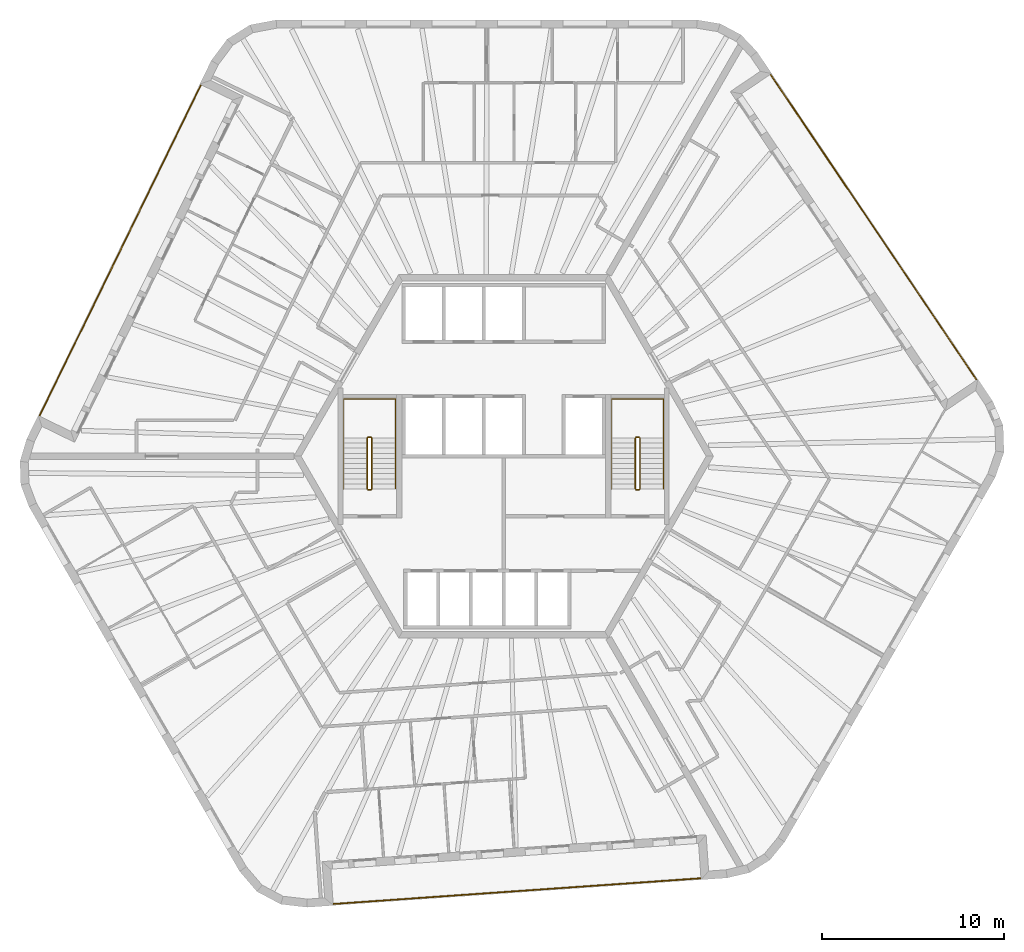
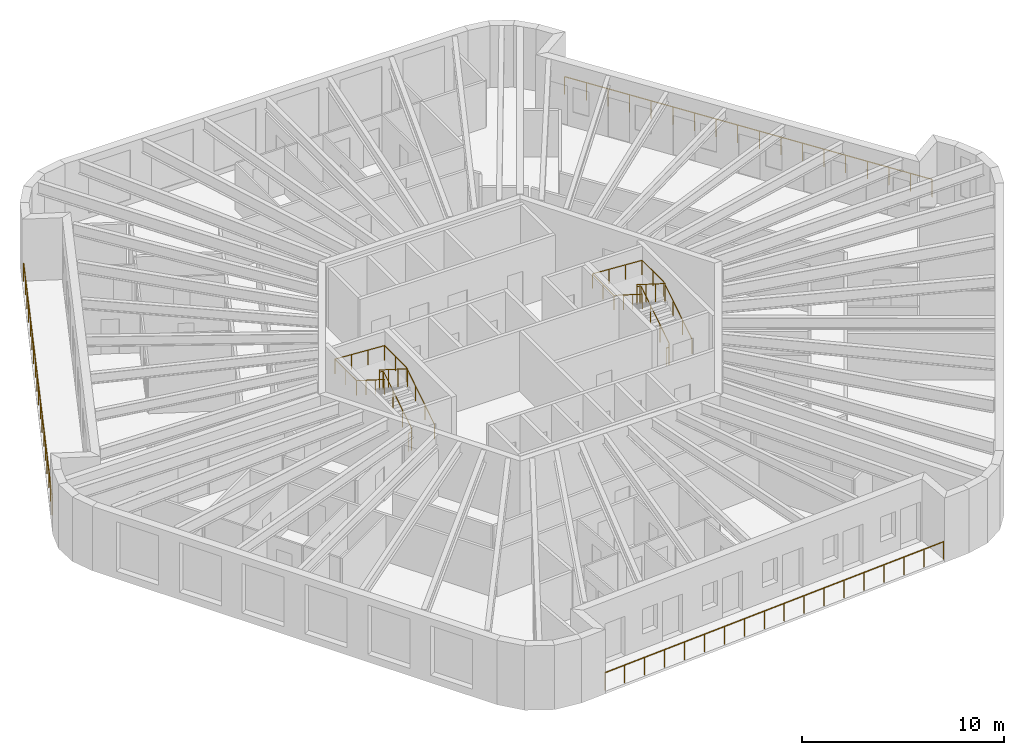
# One storey, part 11 of 11: 7 railings.
"""IFC4 building model written with IfcOpenShell, lengths in metres."""

from ifc_helpers import new_model, si_unit, direction, frame, origin, origin_2d, place, context, subcontext, project, spatial, circle, extrude, material, type_object, element, save


model = new_model("IFC4")

# Units and contexts
model_context = context("Model", 3, precision=1e-05, world=origin(), true_north=direction((0.0, 1.0)))
body_context = subcontext(model_context, "Body", "Model", "MODEL_VIEW")
ifc_project = project(units=[si_unit("LENGTHUNIT", "METRE"), si_unit("AREAUNIT", "SQUARE_METRE"), si_unit("VOLUMEUNIT", "CUBIC_METRE"), si_unit("PLANEANGLEUNIT", "RADIAN"), si_unit("MASSUNIT", "GRAM", prefix="KILO")], contexts=[model_context])

# Site, building, storey
site_placement = place(None, origin())
site = spatial("IfcSite", under=ifc_project, at=site_placement, CompositionType="ELEMENT")
building_placement = place(site_placement, origin())
building = spatial("IfcBuilding", under=site, at=building_placement, Name="Tarnside Tower", CompositionType="ELEMENT")
storey_placement = place(building_placement, frame((0.0, 0.0, 365.10009765625)))
storey = spatial("IfcBuildingStorey", under=building, at=storey_placement, Name="L88", CompositionType="ELEMENT", Elevation=365.10009765625)

# Railings
ifc_material_1 = material(Name="Toughened glass", Category="glass")
railing_type_1 = type_object("IfcRailingType", Name="Glass guard 1100", PredefinedType="GUARDRAIL", material=ifc_material_1)
railing_1_placement = place(storey_placement, frame((-16.645263671875, 20.437744140625, 0.0)))
element("IfcRailing", 1, at=railing_1_placement, inside=storey, type_object=railing_type_1, Name="Loggia guard L88 F2", PredefinedType="GUARDRAIL", context=body_context, shape_type="SweptSolid", body=[
    extrude(circle(Radius=0.030029296875, at=origin_2d()), frame((0.0, 0.0, 1.070068359375), z_axis=(-0.438370743641, -0.898794242928, 0.0), x_axis=(0.898794242928, -0.438370743641, 0.0)), (0.0, 0.0, 1.0), 20.28173828125),
    extrude(circle(Radius=0.02490234375, at=origin_2d()), origin(), (0.0, 0.0, 1.0), 1.0400390625),
    extrude(circle(Radius=0.02490234375, at=origin_2d()), frame((-0.52294921875, -1.072265625, 0.0)), (0.0, 0.0, 1.0), 1.0400390625),
    extrude(circle(Radius=0.02490234375, at=origin_2d()), frame((-1.0458984375, -2.14453125, 0.0)), (0.0, 0.0, 1.0), 1.0400390625),
    extrude(circle(Radius=0.02490234375, at=origin_2d()), frame((-1.569091796875, -3.216796875, 0.0)), (0.0, 0.0, 1.0), 1.0400390625),
    extrude(circle(Radius=0.02490234375, at=origin_2d()), frame((-2.092041015625, -4.2890625, 0.0)), (0.0, 0.0, 1.0), 1.0400390625),
    extrude(circle(Radius=0.02490234375, at=origin_2d()), frame((-2.614990234375, -5.361572265625, 0.0)), (0.0, 0.0, 1.0), 1.0400390625),
    extrude(circle(Radius=0.02490234375, at=origin_2d()), frame((-3.137939453125, -6.433837890625, 0.0)), (0.0, 0.0, 1.0), 1.0400390625),
    extrude(circle(Radius=0.02490234375, at=origin_2d()), frame((-3.660888671875, -7.506103515625, 0.0)), (0.0, 0.0, 1.0), 1.0400390625),
    extrude(circle(Radius=0.02490234375, at=origin_2d()), frame((-4.183837890625, -8.578369140625, 0.0)), (0.0, 0.0, 1.0), 1.0400390625),
    extrude(circle(Radius=0.02490234375, at=origin_2d()), frame((-4.70703125, -9.650634765625, 0.0)), (0.0, 0.0, 1.0), 1.0400390625),
    extrude(circle(Radius=0.02490234375, at=origin_2d()), frame((-5.22998046875, -10.722900390625, 0.0)), (0.0, 0.0, 1.0), 1.0400390625),
    extrude(circle(Radius=0.02490234375, at=origin_2d()), frame((-5.7529296875, -11.795166015625, 0.0)), (0.0, 0.0, 1.0), 1.0400390625),
    extrude(circle(Radius=0.02490234375, at=origin_2d()), frame((-6.27587890625, -12.867431640625, 0.0)), (0.0, 0.0, 1.0), 1.0400390625),
    extrude(circle(Radius=0.02490234375, at=origin_2d()), frame((-6.798828125, -13.93994140625, 0.0)), (0.0, 0.0, 1.0), 1.0400390625),
    extrude(circle(Radius=0.02490234375, at=origin_2d()), frame((-7.32177734375, -15.01220703125, 0.0)), (0.0, 0.0, 1.0), 1.0400390625),
    extrude(circle(Radius=0.02490234375, at=origin_2d()), frame((-7.844970703125, -16.08447265625, 0.0)), (0.0, 0.0, 1.0), 1.0400390625),
    extrude(circle(Radius=0.02490234375, at=origin_2d()), frame((-8.367919921875, -17.15673828125, 0.0)), (0.0, 0.0, 1.0), 1.0400390625),
    extrude(circle(Radius=0.02490234375, at=origin_2d()), frame((-8.890869140625, -18.22900390625, 0.0)), (0.0, 0.0, 1.0), 1.0400390625),
])
railing_2_placement = place(storey_placement, frame((-9.376953125, -24.634033203125, 0.0)))
element("IfcRailing", 2, at=railing_2_placement, inside=storey, type_object=railing_type_1, Name="Loggia guard L88 F4", PredefinedType="GUARDRAIL", context=body_context, shape_type="SweptSolid", body=[
    extrude(circle(Radius=0.030029296875, at=origin_2d()), frame((0.0, 0.0, 1.070068359375), z_axis=(0.997563970542, 0.069757613753, 0.0), x_axis=(-0.069757613753, 0.997563970542, 0.0)), (0.0, 0.0, 1.0), 20.281494140625),
    extrude(circle(Radius=0.02490234375, at=origin_2d()), origin(), (0.0, 0.0, 1.0), 1.0400390625),
    extrude(circle(Radius=0.02490234375, at=origin_2d()), frame((1.190185546875, 0.083251953125, 0.0)), (0.0, 0.0, 1.0), 1.0400390625),
    extrude(circle(Radius=0.02490234375, at=origin_2d()), frame((2.38037109375, 0.16650390625, 0.0)), (0.0, 0.0, 1.0), 1.0400390625),
    extrude(circle(Radius=0.02490234375, at=origin_2d()), frame((3.5703125, 0.249755859375, 0.0)), (0.0, 0.0, 1.0), 1.0400390625),
    extrude(circle(Radius=0.02490234375, at=origin_2d()), frame((4.760498046875, 0.3330078125, 0.0)), (0.0, 0.0, 1.0), 1.0400390625),
    extrude(circle(Radius=0.02490234375, at=origin_2d()), frame((5.95068359375, 0.416015625, 0.0)), (0.0, 0.0, 1.0), 1.0400390625),
    extrude(circle(Radius=0.02490234375, at=origin_2d()), frame((7.140869140625, 0.499267578125, 0.0)), (0.0, 0.0, 1.0), 1.0400390625),
    extrude(circle(Radius=0.02490234375, at=origin_2d()), frame((8.330810546875, 0.58251953125, 0.0)), (0.0, 0.0, 1.0), 1.0400390625),
    extrude(circle(Radius=0.02490234375, at=origin_2d()), frame((9.52099609375, 0.665771484375, 0.0)), (0.0, 0.0, 1.0), 1.0400390625),
    extrude(circle(Radius=0.02490234375, at=origin_2d()), frame((10.711181640625, 0.7490234375, 0.0)), (0.0, 0.0, 1.0), 1.0400390625),
    extrude(circle(Radius=0.02490234375, at=origin_2d()), frame((11.9013671875, 0.832275390625, 0.0)), (0.0, 0.0, 1.0), 1.0400390625),
    extrude(circle(Radius=0.02490234375, at=origin_2d()), frame((13.09130859375, 0.91552734375, 0.0)), (0.0, 0.0, 1.0), 1.0400390625),
    extrude(circle(Radius=0.02490234375, at=origin_2d()), frame((14.281494140625, 0.998779296875, 0.0)), (0.0, 0.0, 1.0), 1.0400390625),
    extrude(circle(Radius=0.02490234375, at=origin_2d()), frame((15.4716796875, 1.081787109375, 0.0)), (0.0, 0.0, 1.0), 1.0400390625),
    extrude(circle(Radius=0.02490234375, at=origin_2d()), frame((16.661865234375, 1.1650390625, 0.0)), (0.0, 0.0, 1.0), 1.0400390625),
    extrude(circle(Radius=0.02490234375, at=origin_2d()), frame((17.851806640625, 1.248291015625, 0.0)), (0.0, 0.0, 1.0), 1.0400390625),
    extrude(circle(Radius=0.02490234375, at=origin_2d()), frame((19.0419921875, 1.33154296875, 0.0)), (0.0, 0.0, 1.0), 1.0400390625),
    extrude(circle(Radius=0.02490234375, at=origin_2d()), frame((20.232177734375, 1.414794921875, 0.0)), (0.0, 0.0, 1.0), 1.0400390625),
])
railing_3_placement = place(storey_placement, frame((26.022216796875, 4.196533203125, 0.0)))
element("IfcRailing", 3, at=railing_3_placement, inside=storey, type_object=railing_type_1, Name="Loggia guard L88 F6", PredefinedType="GUARDRAIL", context=body_context, shape_type="SweptSolid", body=[
    extrude(circle(Radius=0.030029296875, at=origin_2d()), frame((0.0, 0.0, 1.070068359375), z_axis=(-0.559192274164, 0.829037997028, 0.0), x_axis=(-0.829037997028, -0.559192274164, 0.0)), (0.0, 0.0, 1.0), 20.281494140625),
    extrude(circle(Radius=0.02490234375, at=origin_2d()), origin(), (0.0, 0.0, 1.0), 1.0400390625),
    extrude(circle(Radius=0.02490234375, at=origin_2d()), frame((-0.667236328125, 0.989013671875, 0.0)), (0.0, 0.0, 1.0), 1.0400390625),
    extrude(circle(Radius=0.02490234375, at=origin_2d()), frame((-1.334228515625, 1.97802734375, 0.0)), (0.0, 0.0, 1.0), 1.0400390625),
    extrude(circle(Radius=0.02490234375, at=origin_2d()), frame((-2.00146484375, 2.96728515625, 0.0)), (0.0, 0.0, 1.0), 1.0400390625),
    extrude(circle(Radius=0.02490234375, at=origin_2d()), frame((-2.66845703125, 3.956298828125, 0.0)), (0.0, 0.0, 1.0), 1.0400390625),
    extrude(circle(Radius=0.02490234375, at=origin_2d()), frame((-3.335693359375, 4.9453125, 0.0)), (0.0, 0.0, 1.0), 1.0400390625),
    extrude(circle(Radius=0.02490234375, at=origin_2d()), frame((-4.0029296875, 5.934326171875, 0.0)), (0.0, 0.0, 1.0), 1.0400390625),
    extrude(circle(Radius=0.02490234375, at=origin_2d()), frame((-4.669921875, 6.923583984375, 0.0)), (0.0, 0.0, 1.0), 1.0400390625),
    extrude(circle(Radius=0.02490234375, at=origin_2d()), frame((-5.337158203125, 7.91259765625, 0.0)), (0.0, 0.0, 1.0), 1.0400390625),
    extrude(circle(Radius=0.02490234375, at=origin_2d()), frame((-6.004150390625, 8.901611328125, 0.0)), (0.0, 0.0, 1.0), 1.0400390625),
    extrude(circle(Radius=0.02490234375, at=origin_2d()), frame((-6.67138671875, 9.890625, 0.0)), (0.0, 0.0, 1.0), 1.0400390625),
    extrude(circle(Radius=0.02490234375, at=origin_2d()), frame((-7.33837890625, 10.8798828125, 0.0)), (0.0, 0.0, 1.0), 1.0400390625),
    extrude(circle(Radius=0.02490234375, at=origin_2d()), frame((-8.005615234375, 11.868896484375, 0.0)), (0.0, 0.0, 1.0), 1.0400390625),
    extrude(circle(Radius=0.02490234375, at=origin_2d()), frame((-8.6728515625, 12.85791015625, 0.0)), (0.0, 0.0, 1.0), 1.0400390625),
    extrude(circle(Radius=0.02490234375, at=origin_2d()), frame((-9.33984375, 13.846923828125, 0.0)), (0.0, 0.0, 1.0), 1.0400390625),
    extrude(circle(Radius=0.02490234375, at=origin_2d()), frame((-10.007080078125, 14.836181640625, 0.0)), (0.0, 0.0, 1.0), 1.0400390625),
    extrude(circle(Radius=0.02490234375, at=origin_2d()), frame((-10.674072265625, 15.8251953125, 0.0)), (0.0, 0.0, 1.0), 1.0400390625),
    extrude(circle(Radius=0.02490234375, at=origin_2d()), frame((-11.34130859375, 16.814208984375, 0.0)), (0.0, 0.0, 1.0), 1.0400390625),
])
ifc_material_2 = material(Name="Stainless steel", Category="steel")
railing_type_2 = type_object("IfcRailingType", Name="Stair guard 1100", PredefinedType="GUARDRAIL", material=ifc_material_2)
railing_4_placement = place(storey_placement, frame((7.300048828125, -1.85009765625, 0.0)))
element("IfcRailing", 4, at=railing_4_placement, inside=storey, type_object=railing_type_2, Name="L88 ST1 stair guard 1", PredefinedType="GUARDRAIL", context=body_context, shape_type="SweptSolid", body=[
    extrude(circle(Radius=0.02392578125, at=origin_2d()), frame((0.0, 0.0, 1.076171875), z_axis=(1.0, 0.0, 0.0), x_axis=(0.0, 1.0, 0.0)), (0.0, 0.0, 1.0), 0.14990234375),
    extrude(circle(Radius=0.02392578125, at=origin_2d()), frame((0.14990234375, 0.0, 1.076171875), z_axis=(0.262233686654, 0.262233686654, 0.928691007369), x_axis=(-0.707106781187, 0.707106781187, 0.0)), (0.0, 0.0, 1.0), 0.19091796875),
    extrude(circle(Radius=0.02392578125, at=origin_2d()), frame((0.199951171875, 0.050048828125, 1.25341796875), z_axis=(0.0, 0.844908973607, 0.534910110503), x_axis=(-1.0, 0.0, 0.0)), (0.0, 0.0, 1.0), 3.31396484375),
    extrude(circle(Radius=0.02392578125, at=origin_2d()), frame((0.199951171875, 2.85009765625, 3.02587890625), z_axis=(-0.707106781187, 0.707106781187, 0.0), x_axis=(-0.707106781187, -0.707106781187, 0.0)), (0.0, 0.0, 1.0), 0.07080078125),
    extrude(circle(Radius=0.02392578125, at=origin_2d()), frame((0.14990234375, 2.900146484375, 3.02587890625), z_axis=(-1.0, 0.0, 0.0), x_axis=(0.0, -1.0, 0.0)), (0.0, 0.0, 1.0), 0.14990234375),
    extrude(circle(Radius=0.02392578125, at=origin_2d()), frame((0.0, 2.900146484375, 3.02587890625), z_axis=(-0.262233686654, -0.262233686654, 0.928691007369), x_axis=(0.707106781187, -0.707106781187, 0.0)), (0.0, 0.0, 1.0), 0.19091796875),
    extrude(circle(Radius=0.02392578125, at=origin_2d()), frame((-0.050048828125, 2.85009765625, 3.203125), z_axis=(0.0, -0.844908973607, 0.534910110503), x_axis=(1.0, 0.0, 0.0)), (0.0, 0.0, 1.0), 3.31396484375),
    extrude(circle(Radius=0.02099609375, at=origin_2d()), origin(), (0.0, 0.0, 1.0), 1.052001953125),
    extrude(circle(Radius=0.02099609375, at=origin_2d()), frame((0.14990234375, 0.0, 0.0)), (0.0, 0.0, 1.0), 1.052001953125),
    extrude(circle(Radius=0.02099609375, at=origin_2d()), frame((0.199951171875, 0.050048828125, 0.17724609375)), (0.0, 0.0, 1.0), 1.052001953125),
    extrude(circle(Radius=0.02099609375, at=origin_2d()), frame((0.199951171875, 0.9833984375, 0.76806640625)), (0.0, 0.0, 1.0), 1.052001953125),
    extrude(circle(Radius=0.02099609375, at=origin_2d()), frame((0.199951171875, 1.916748046875, 1.359130859375)), (0.0, 0.0, 1.0), 1.052001953125),
    extrude(circle(Radius=0.02099609375, at=origin_2d()), frame((0.199951171875, 2.85009765625, 1.949951171875)), (0.0, 0.0, 1.0), 1.052001953125),
    extrude(circle(Radius=0.02099609375, at=origin_2d()), frame((0.14990234375, 2.900146484375, 1.949951171875)), (0.0, 0.0, 1.0), 1.052001953125),
    extrude(circle(Radius=0.02099609375, at=origin_2d()), frame((0.0, 2.900146484375, 1.949951171875)), (0.0, 0.0, 1.0), 1.052001953125),
    extrude(circle(Radius=0.02099609375, at=origin_2d()), frame((-0.050048828125, 2.85009765625, 2.127197265625)), (0.0, 0.0, 1.0), 1.052001953125),
    extrude(circle(Radius=0.02099609375, at=origin_2d()), frame((-0.050048828125, 1.916748046875, 2.718017578125)), (0.0, 0.0, 1.0), 1.052001953125),
    extrude(circle(Radius=0.02099609375, at=origin_2d()), frame((-0.050048828125, 0.9833984375, 3.30908203125)), (0.0, 0.0, 1.0), 1.052001953125),
    extrude(circle(Radius=0.02099609375, at=origin_2d()), frame((-0.050048828125, 0.050048828125, 3.89990234375)), (0.0, 0.0, 1.0), 1.052001953125),
])
railing_5_placement = place(storey_placement, frame((-7.449951171875, -1.85009765625, 0.0)))
element("IfcRailing", 5, at=railing_5_placement, inside=storey, type_object=railing_type_2, Name="L88 ST2 stair guard 1", PredefinedType="GUARDRAIL", context=body_context, shape_type="SweptSolid", body=[
    extrude(circle(Radius=0.02392578125, at=origin_2d()), frame((0.0, 0.0, 1.076171875), z_axis=(1.0, 0.0, 0.0), x_axis=(0.0, 1.0, 0.0)), (0.0, 0.0, 1.0), 0.14990234375),
    extrude(circle(Radius=0.02392578125, at=origin_2d()), frame((0.14990234375, 0.0, 1.076171875), z_axis=(0.262233686654, 0.262233686654, 0.928691007369), x_axis=(-0.707106781187, 0.707106781187, 0.0)), (0.0, 0.0, 1.0), 0.19091796875),
    extrude(circle(Radius=0.02392578125, at=origin_2d()), frame((0.199951171875, 0.050048828125, 1.25341796875), z_axis=(0.0, 0.844908973607, 0.534910110503), x_axis=(-1.0, 0.0, 0.0)), (0.0, 0.0, 1.0), 3.31396484375),
    extrude(circle(Radius=0.02392578125, at=origin_2d()), frame((0.199951171875, 2.85009765625, 3.02587890625), z_axis=(-0.707106781187, 0.707106781187, 0.0), x_axis=(-0.707106781187, -0.707106781187, 0.0)), (0.0, 0.0, 1.0), 0.07080078125),
    extrude(circle(Radius=0.02392578125, at=origin_2d()), frame((0.14990234375, 2.900146484375, 3.02587890625), z_axis=(-1.0, 0.0, 0.0), x_axis=(0.0, -1.0, 0.0)), (0.0, 0.0, 1.0), 0.14990234375),
    extrude(circle(Radius=0.02392578125, at=origin_2d()), frame((0.0, 2.900146484375, 3.02587890625), z_axis=(-0.262233686654, -0.262233686654, 0.928691007369), x_axis=(0.707106781187, -0.707106781187, 0.0)), (0.0, 0.0, 1.0), 0.19091796875),
    extrude(circle(Radius=0.02392578125, at=origin_2d()), frame((-0.050048828125, 2.85009765625, 3.203125), z_axis=(0.0, -0.844908973607, 0.534910110503), x_axis=(1.0, 0.0, 0.0)), (0.0, 0.0, 1.0), 3.31396484375),
    extrude(circle(Radius=0.02099609375, at=origin_2d()), origin(), (0.0, 0.0, 1.0), 1.052001953125),
    extrude(circle(Radius=0.02099609375, at=origin_2d()), frame((0.14990234375, 0.0, 0.0)), (0.0, 0.0, 1.0), 1.052001953125),
    extrude(circle(Radius=0.02099609375, at=origin_2d()), frame((0.199951171875, 0.050048828125, 0.17724609375)), (0.0, 0.0, 1.0), 1.052001953125),
    extrude(circle(Radius=0.02099609375, at=origin_2d()), frame((0.199951171875, 0.9833984375, 0.76806640625)), (0.0, 0.0, 1.0), 1.052001953125),
    extrude(circle(Radius=0.02099609375, at=origin_2d()), frame((0.199951171875, 1.916748046875, 1.359130859375)), (0.0, 0.0, 1.0), 1.052001953125),
    extrude(circle(Radius=0.02099609375, at=origin_2d()), frame((0.199951171875, 2.85009765625, 1.949951171875)), (0.0, 0.0, 1.0), 1.052001953125),
    extrude(circle(Radius=0.02099609375, at=origin_2d()), frame((0.14990234375, 2.900146484375, 1.949951171875)), (0.0, 0.0, 1.0), 1.052001953125),
    extrude(circle(Radius=0.02099609375, at=origin_2d()), frame((0.0, 2.900146484375, 1.949951171875)), (0.0, 0.0, 1.0), 1.052001953125),
    extrude(circle(Radius=0.02099609375, at=origin_2d()), frame((-0.050048828125, 2.85009765625, 2.127197265625)), (0.0, 0.0, 1.0), 1.052001953125),
    extrude(circle(Radius=0.02099609375, at=origin_2d()), frame((-0.050048828125, 1.916748046875, 2.718017578125)), (0.0, 0.0, 1.0), 1.052001953125),
    extrude(circle(Radius=0.02099609375, at=origin_2d()), frame((-0.050048828125, 0.9833984375, 3.30908203125)), (0.0, 0.0, 1.0), 1.052001953125),
    extrude(circle(Radius=0.02099609375, at=origin_2d()), frame((-0.050048828125, 0.050048828125, 3.89990234375)), (0.0, 0.0, 1.0), 1.052001953125),
])
railing_type_3 = type_object("IfcRailingType", Name="Stair handrail 900", PredefinedType="HANDRAIL", material=ifc_material_2)
railing_6_placement = place(storey_placement, frame((8.800048828125, -1.800048828125, 0.17724609375)))
element("IfcRailing", 6, at=railing_6_placement, inside=storey, type_object=railing_type_3, Name="L88 ST1 stair handrail 1", PredefinedType="HANDRAIL", context=body_context, shape_type="SweptSolid", body=[
    extrude(circle(Radius=0.02392578125, at=origin_2d()), frame((0.0, 0.0, 0.8857421875), z_axis=(0.0, 0.844908973607, 0.534910110503), x_axis=(-1.0, 0.0, 0.0)), (0.0, 0.0, 1.0), 3.31396484375),
    extrude(circle(Radius=0.02392578125, at=origin_2d()), frame((0.0, 2.800048828125, 2.65869140625), z_axis=(0.0, 1.0, 0.0), x_axis=(-1.0, 0.0, 0.0)), (0.0, 0.0, 1.0), 2.14990234375),
    extrude(circle(Radius=0.02392578125, at=origin_2d()), frame((0.0, 4.949951171875, 2.65869140625), z_axis=(-0.998071825391, 0.0, 0.06206956872), x_axis=(0.0, -1.0, 0.0)), (0.0, 0.0, 1.0), 2.855712890625),
    extrude(circle(Radius=0.02392578125, at=origin_2d()), frame((-2.85009765625, 4.949951171875, 2.8359375), z_axis=(0.0, -1.0, 0.0), x_axis=(1.0, 0.0, 0.0)), (0.0, 0.0, 1.0), 2.14990234375),
    extrude(circle(Radius=0.02392578125, at=origin_2d()), frame((-2.85009765625, 2.800048828125, 2.8359375), z_axis=(0.0, -0.844908973607, 0.534910110503), x_axis=(1.0, 0.0, 0.0)), (0.0, 0.0, 1.0), 3.31396484375),
    extrude(circle(Radius=0.02099609375, at=origin_2d()), origin(), (0.0, 0.0, 1.0), 0.86181640625),
    extrude(circle(Radius=0.02099609375, at=origin_2d()), frame((0.0, 0.933349609375, 0.5908203125)), (0.0, 0.0, 1.0), 0.86181640625),
    extrude(circle(Radius=0.02099609375, at=origin_2d()), frame((0.0, 1.86669921875, 1.181884765625)), (0.0, 0.0, 1.0), 0.86181640625),
    extrude(circle(Radius=0.02099609375, at=origin_2d()), frame((0.0, 2.800048828125, 1.772705078125)), (0.0, 0.0, 1.0), 0.86181640625),
    extrude(circle(Radius=0.02099609375, at=origin_2d()), frame((0.0, 3.875, 1.772705078125)), (0.0, 0.0, 1.0), 0.86181640625),
    extrude(circle(Radius=0.02099609375, at=origin_2d()), frame((0.0, 4.949951171875, 1.772705078125)), (0.0, 0.0, 1.0), 0.86181640625),
    extrude(circle(Radius=0.02099609375, at=origin_2d()), frame((-0.949951171875, 4.949951171875, 1.831787109375)), (0.0, 0.0, 1.0), 0.86181640625),
    extrude(circle(Radius=0.02099609375, at=origin_2d()), frame((-1.900146484375, 4.949951171875, 1.890869140625)), (0.0, 0.0, 1.0), 0.86181640625),
    extrude(circle(Radius=0.02099609375, at=origin_2d()), frame((-2.85009765625, 4.949951171875, 1.949951171875)), (0.0, 0.0, 1.0), 0.86181640625),
    extrude(circle(Radius=0.02099609375, at=origin_2d()), frame((-2.85009765625, 3.875, 1.949951171875)), (0.0, 0.0, 1.0), 0.86181640625),
    extrude(circle(Radius=0.02099609375, at=origin_2d()), frame((-2.85009765625, 2.800048828125, 1.949951171875)), (0.0, 0.0, 1.0), 0.86181640625),
    extrude(circle(Radius=0.02099609375, at=origin_2d()), frame((-2.85009765625, 1.86669921875, 2.540771484375)), (0.0, 0.0, 1.0), 0.86181640625),
    extrude(circle(Radius=0.02099609375, at=origin_2d()), frame((-2.85009765625, 0.933349609375, 3.1318359375)), (0.0, 0.0, 1.0), 0.86181640625),
    extrude(circle(Radius=0.02099609375, at=origin_2d()), frame((-2.85009765625, 0.0, 3.72265625)), (0.0, 0.0, 1.0), 0.86181640625),
])
railing_7_placement = place(storey_placement, frame((-5.949951171875, -1.800048828125, 0.17724609375)))
element("IfcRailing", 7, at=railing_7_placement, inside=storey, type_object=railing_type_3, Name="L88 ST2 stair handrail 1", PredefinedType="HANDRAIL", context=body_context, shape_type="SweptSolid", body=[
    extrude(circle(Radius=0.02392578125, at=origin_2d()), frame((0.0, 0.0, 0.8857421875), z_axis=(0.0, 0.844908973607, 0.534910110503), x_axis=(-1.0, 0.0, 0.0)), (0.0, 0.0, 1.0), 3.31396484375),
    extrude(circle(Radius=0.02392578125, at=origin_2d()), frame((0.0, 2.800048828125, 2.65869140625), z_axis=(0.0, 1.0, 0.0), x_axis=(-1.0, 0.0, 0.0)), (0.0, 0.0, 1.0), 2.14990234375),
    extrude(circle(Radius=0.02392578125, at=origin_2d()), frame((0.0, 4.949951171875, 2.65869140625), z_axis=(-0.998071825391, 0.0, 0.06206956872), x_axis=(0.0, -1.0, 0.0)), (0.0, 0.0, 1.0), 2.855712890625),
    extrude(circle(Radius=0.02392578125, at=origin_2d()), frame((-2.85009765625, 4.949951171875, 2.8359375), z_axis=(0.0, -1.0, 0.0), x_axis=(1.0, 0.0, 0.0)), (0.0, 0.0, 1.0), 2.14990234375),
    extrude(circle(Radius=0.02392578125, at=origin_2d()), frame((-2.85009765625, 2.800048828125, 2.8359375), z_axis=(0.0, -0.844908973607, 0.534910110503), x_axis=(1.0, 0.0, 0.0)), (0.0, 0.0, 1.0), 3.31396484375),
    extrude(circle(Radius=0.02099609375, at=origin_2d()), origin(), (0.0, 0.0, 1.0), 0.86181640625),
    extrude(circle(Radius=0.02099609375, at=origin_2d()), frame((0.0, 0.933349609375, 0.5908203125)), (0.0, 0.0, 1.0), 0.86181640625),
    extrude(circle(Radius=0.02099609375, at=origin_2d()), frame((0.0, 1.86669921875, 1.181884765625)), (0.0, 0.0, 1.0), 0.86181640625),
    extrude(circle(Radius=0.02099609375, at=origin_2d()), frame((0.0, 2.800048828125, 1.772705078125)), (0.0, 0.0, 1.0), 0.86181640625),
    extrude(circle(Radius=0.02099609375, at=origin_2d()), frame((0.0, 3.875, 1.772705078125)), (0.0, 0.0, 1.0), 0.86181640625),
    extrude(circle(Radius=0.02099609375, at=origin_2d()), frame((0.0, 4.949951171875, 1.772705078125)), (0.0, 0.0, 1.0), 0.86181640625),
    extrude(circle(Radius=0.02099609375, at=origin_2d()), frame((-0.949951171875, 4.949951171875, 1.831787109375)), (0.0, 0.0, 1.0), 0.86181640625),
    extrude(circle(Radius=0.02099609375, at=origin_2d()), frame((-1.900146484375, 4.949951171875, 1.890869140625)), (0.0, 0.0, 1.0), 0.86181640625),
    extrude(circle(Radius=0.02099609375, at=origin_2d()), frame((-2.85009765625, 4.949951171875, 1.949951171875)), (0.0, 0.0, 1.0), 0.86181640625),
    extrude(circle(Radius=0.02099609375, at=origin_2d()), frame((-2.85009765625, 3.875, 1.949951171875)), (0.0, 0.0, 1.0), 0.86181640625),
    extrude(circle(Radius=0.02099609375, at=origin_2d()), frame((-2.85009765625, 2.800048828125, 1.949951171875)), (0.0, 0.0, 1.0), 0.86181640625),
    extrude(circle(Radius=0.02099609375, at=origin_2d()), frame((-2.85009765625, 1.86669921875, 2.540771484375)), (0.0, 0.0, 1.0), 0.86181640625),
    extrude(circle(Radius=0.02099609375, at=origin_2d()), frame((-2.85009765625, 0.933349609375, 3.1318359375)), (0.0, 0.0, 1.0), 0.86181640625),
    extrude(circle(Radius=0.02099609375, at=origin_2d()), frame((-2.85009765625, 0.0, 3.72265625)), (0.0, 0.0, 1.0), 0.86181640625),
])

save(model, "model.ifc")
